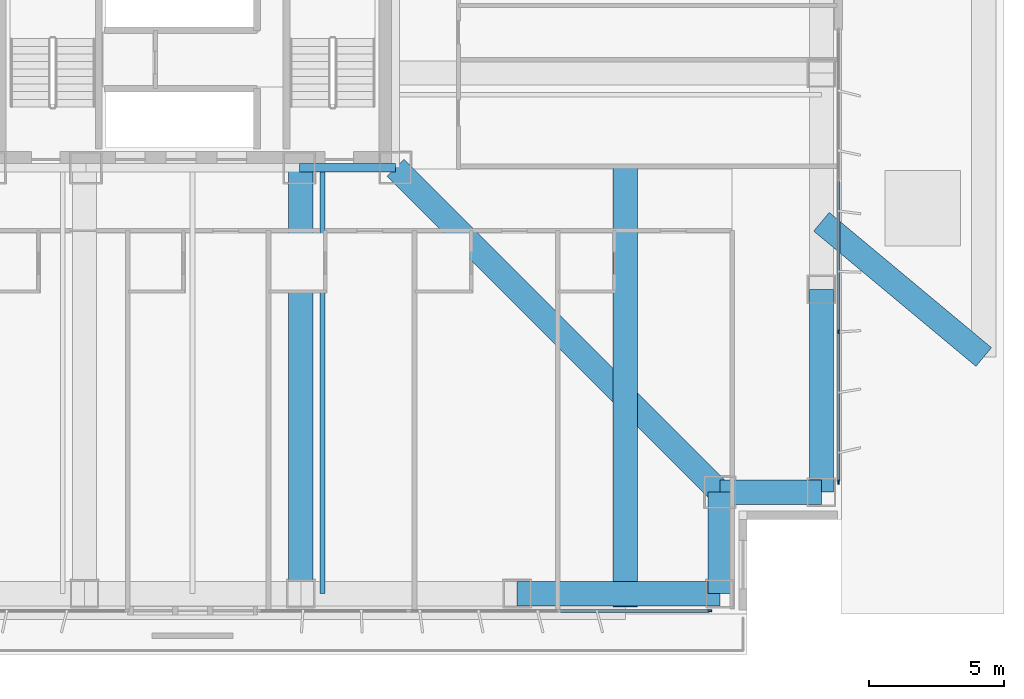
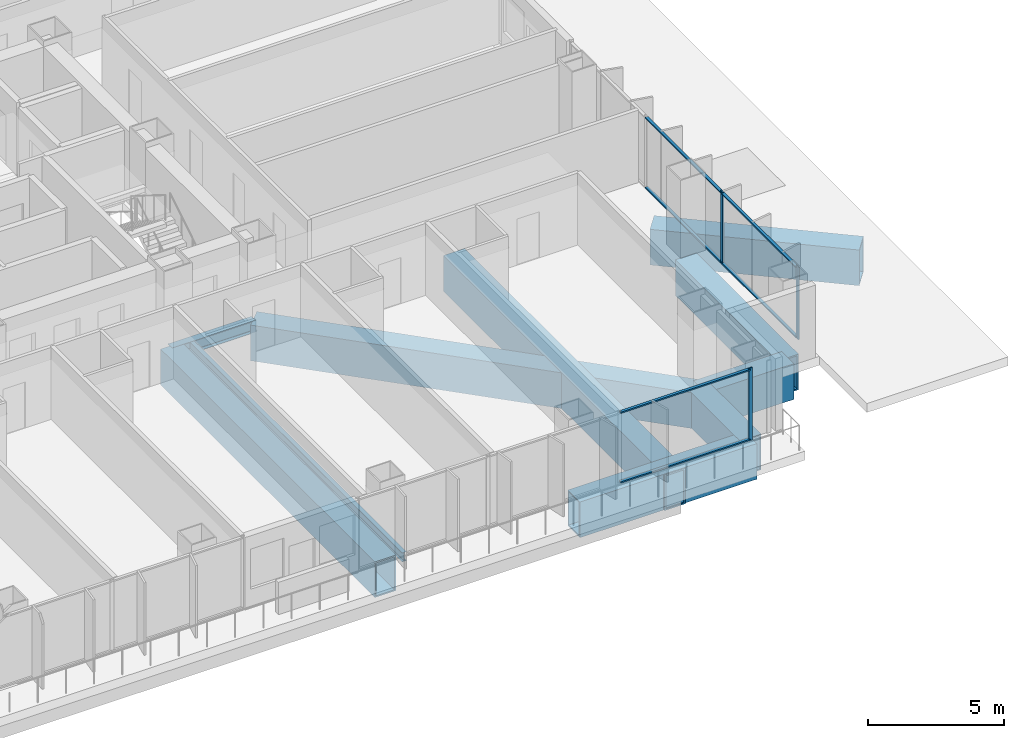
# One storey, part 7 of 24: 10 beams, 9 members, 2 elements without a shape of their own.
"""IFC4 building model written with IfcOpenShell, lengths in metres."""

from ifc_helpers import new_model, si_unit, direction, frame, origin, origin_2d, place, context, subcontext, project, spatial, rectangle, hollow_rectangle, i_section, extrude, material, layer, layer_set, material_profile, profile_set, type_object, element, aggregate, save


model = new_model("IFC4")

# Units and contexts
model_context = context("Model", 3, precision=1e-05, world=origin(), true_north=direction((0.0, 1.0)))
body_context = subcontext(model_context, "Body", "Model", "MODEL_VIEW")
ifc_project = project(units=[si_unit("LENGTHUNIT", "METRE"), si_unit("AREAUNIT", "SQUARE_METRE"), si_unit("VOLUMEUNIT", "CUBIC_METRE"), si_unit("PLANEANGLEUNIT", "RADIAN"), si_unit("MASSUNIT", "GRAM", prefix="KILO")], contexts=[model_context])

# Site, building, storey
site_placement = place(None, origin())
site = spatial("IfcSite", under=ifc_project, at=site_placement, CompositionType="ELEMENT")
building_placement = place(site_placement, origin())
building = spatial("IfcBuilding", under=site, at=building_placement, Name="Trevonay Congress Spire", CompositionType="ELEMENT")
storey_placement = place(building_placement, frame((0.0, 0.0, 27.0)))
storey = spatial("IfcBuildingStorey", under=building, at=storey_placement, Name="L05", CompositionType="ELEMENT", Elevation=27.0)

# Beams
ifc_material_1 = material(Name="Steel ASTM A572 Grade 50", Category="steel")
ifc_material_profile_1 = material_profile(ifc_material_1, i_section(OverallWidth=0.31201171875, OverallDepth=0.54296875, WebThickness=0.0126953125, FlangeThickness=0.020263671875, FilletRadius=0.014892578125, at=origin_2d()), Name="W530x150")
ifc_profile_set_1 = profile_set([ifc_material_profile_1], Name="Steel ASTM A572 Grade 50")
beam_type_1 = type_object("IfcBeamType", Name="BM-GIRD-W530X150", PredefinedType="BEAM", material=ifc_profile_set_1)
beam_1_placement = place(storey_placement, frame((3.949951171875, -7.5, -0.67138671875), z_axis=(1.0, 0.0, 0.0), x_axis=(0.0, 1.0, 0.0)))
element("IfcBeam", 1, at=beam_1_placement, inside=storey, type_object=beam_type_1, Name="L05 structural beam BM-L05-CR-S3", PredefinedType="BEAM", context=body_context, shape_type="SweptSolid", body=[
    extrude(i_section(OverallWidth=0.31201171875, OverallDepth=0.54296875, WebThickness=0.0126953125, FlangeThickness=0.020263671875, FilletRadius=0.014892578125, at=origin_2d()), origin(), (0.0, 0.0, 1.0), 3.550048828125),
])
ifc_material_profile_2 = material_profile(ifc_material_1, hollow_rectangle(XDim=0.89990234375, YDim=1.60009765625, WallThickness=0.06005859375, at=origin_2d()), Name="BOX 1600x900x60")
ifc_profile_set_2 = profile_set([ifc_material_profile_2], Name="Steel ASTM A572 Grade 50")
beam_type_2 = type_object("IfcBeamType", Name="BM-RING-BOX1600", PredefinedType="BEAM", material=ifc_profile_set_2)
for number, where, z_axis, x_axis, name in (
    (2, (23.25, -19.5, -1.199951171875), (0.0, 1.0, 0.0), (-1.0, 0.0, 0.0), "L05 structural beam BM-L05-PE1"),
    (3, (12.0, -23.25, -1.199951171875), (1.0, 0.0, 0.0), (0.0, 1.0, 0.0), "L05 structural beam BM-L05-PS5"),
):
    element("IfcBeam", number, at=place(storey_placement, frame(where, z_axis=z_axis, x_axis=x_axis)), inside=storey, type_object=beam_type_2, Name=name, PredefinedType="BEAM", context=body_context, shape_type="SweptSolid", body=[
        extrude(hollow_rectangle(XDim=0.89990234375, YDim=1.60009765625, WallThickness=0.06005859375, at=origin_2d()), origin(), (0.0, 0.0, 1.0), 7.5),
    ])
for number, where, z_axis, x_axis, name in (
    (4, (19.5, -23.25, -1.199951171875), (0.0, 1.0, 0.0), (-1.0, 0.0, 0.0), "L05 structural beam BM-L05-N1SE"),
    (5, (23.25, -19.5, -1.199951171875), (-1.0, 0.0, 0.0), (0.0, -1.0, 0.0), "L05 structural beam BM-L05-N2SE"),
):
    element("IfcBeam", number, at=place(storey_placement, frame(where, z_axis=z_axis, x_axis=x_axis)), inside=storey, type_object=beam_type_2, Name=name, PredefinedType="BEAM", context=body_context, shape_type="SweptSolid", body=[
        extrude(hollow_rectangle(XDim=0.89990234375, YDim=1.60009765625, WallThickness=0.06005859375, at=origin_2d()), origin(), (0.0, 0.0, 1.0), 3.75),
    ])
ifc_material_profile_3 = material_profile(ifc_material_1, hollow_rectangle(XDim=0.89990234375, YDim=1.60009765625, WallThickness=0.06005859375, at=origin_2d()), Name="BOX 1600x900x60")
ifc_profile_set_3 = profile_set([ifc_material_profile_3], Name="Steel ASTM A572 Grade 50")
beam_type_3 = type_object("IfcBeamType", Name="BM-XFER-BOX1600", PredefinedType="BEAM", material=ifc_profile_set_3)
beam_2_placement = place(storey_placement, frame((23.25, -9.5, -1.199951171875), z_axis=(0.768221279597, -0.640184399664, 0.0), x_axis=(0.640184399664, 0.768221279597, 0.0)))
element("IfcBeam", 6, at=beam_2_placement, inside=storey, type_object=beam_type_3, Name="L05 structural beam BM-L05T-ET1", PredefinedType="BEAM", context=body_context, shape_type="SweptSolid", body=[
    extrude(hollow_rectangle(XDim=0.89990234375, YDim=1.60009765625, WallThickness=0.06005859375, at=origin_2d()), origin(), (0.0, 0.0, 1.0), 7.810302734375),
])
beam_3_placement = place(storey_placement, frame((16.0, -7.5, -1.199951171875), z_axis=(0.0, -1.0, 0.0), x_axis=(1.0, 0.0, 0.0)))
element("IfcBeam", 7, at=beam_3_placement, inside=storey, type_object=beam_type_3, Name="L05 structural beam BM-L05T-ST2", PredefinedType="BEAM", context=body_context, shape_type="SweptSolid", body=[
    extrude(hollow_rectangle(XDim=0.89990234375, YDim=1.60009765625, WallThickness=0.06005859375, at=origin_2d()), origin(), (0.0, 0.0, 1.0), 16.25),
])
beam_4_placement = place(storey_placement, frame((7.5, -7.5, -1.199951171875), z_axis=(0.707106781187, -0.707106781187, 0.0), x_axis=(0.707106781187, 0.707106781187, 0.0)))
element("IfcBeam", 8, at=beam_4_placement, inside=storey, type_object=beam_type_3, Name="L05 structural beam BM-L05-CDSE", PredefinedType="BEAM", context=body_context, shape_type="SweptSolid", body=[
    extrude(hollow_rectangle(XDim=0.89990234375, YDim=1.60009765625, WallThickness=0.06005859375, at=origin_2d()), origin(), (0.0, 0.0, 1.0), 16.970458984375),
])
beam_5_placement = place(storey_placement, frame((4.0, -7.5, -1.199951171875), z_axis=(0.0, -1.0, 0.0), x_axis=(1.0, 0.0, 0.0)))
element("IfcBeam", 9, at=beam_5_placement, inside=storey, type_object=beam_type_3, Name="L05 structural beam BM-L05-GS-P", PredefinedType="BEAM", context=body_context, shape_type="SweptSolid", body=[
    extrude(hollow_rectangle(XDim=0.89990234375, YDim=1.60009765625, WallThickness=0.06005859375, at=origin_2d()), origin(), (0.0, 0.0, 1.0), 15.75),
])

# Curtain wall, member
ifc_material_2 = material(Name="Pale Anodised Aluminium EN AW-6063-T6", Category="aluminium")
ifc_layer = layer(ifc_material_2, 0.179931640625, Name="Pale Anodised Aluminium EN AW-6063-T6")
ifc_layer_set = layer_set([ifc_layer], Name="Pale Anodised Aluminium EN AW-6063-T6")
curtain_wall_type = type_object("IfcCurtainWallType", Name="CW-SYS02-HOTEL-PALE-METAL", PredefinedType="NOTDEFINED", material=ifc_layer_set)
curtain_wall_1_placement = place(storey_placement, origin())
curtain_wall_1 = element("IfcCurtainWall", 10, at=curtain_wall_1_placement, inside=storey, type_object=curtain_wall_type, Name="L05 SB unitised curtain wall", PredefinedType="NOTDEFINED")
ifc_material_profile_4 = material_profile(ifc_material_2, rectangle(XDim=0.06005859375, YDim=0.159912109375, at=origin_2d()), Name="CW-MULLION-160-ALUMINIUM")
ifc_profile_set_4 = profile_set([ifc_material_profile_4], Name="Pale Anodised Aluminium EN AW-6063-T6")
member_type_1 = type_object("IfcMemberType", Name="CW-MULLION-160-ALUMINIUM", PredefinedType="MULLION", material=ifc_profile_set_4)
member_1_placement = place(storey_placement, frame((19.1201171875, -23.8798828125, 0.0), z_axis=(0.0, 0.0, 1.0), x_axis=(0.0, 1.0, 0.0)))
member_1 = element("IfcMember", 11, at=member_1_placement, type_object=member_type_1, Name="CW02 mullion 4", PredefinedType="MULLION", context=body_context, shape_type="SweptSolid", body=[
    extrude(rectangle(XDim=0.06005859375, YDim=0.159912109375, at=origin_2d()), origin(), (0.0, 0.0, 1.0), 3.25),
])

# Curtain wall, members
curtain_wall_2_placement = place(storey_placement, origin())
curtain_wall_2 = element("IfcCurtainWall", 12, at=curtain_wall_2_placement, inside=storey, type_object=curtain_wall_type, Name="L05 EA unitised curtain wall", PredefinedType="NOTDEFINED")
member_2_placement = place(storey_placement, frame((23.8798828125, -19.1201171875, 0.0), z_axis=(0.0, 0.0, 1.0), x_axis=(-1.0, 0.0, 0.0)))
member_2 = element("IfcMember", 13, at=member_2_placement, type_object=member_type_1, Name="CW02 mullion 1", PredefinedType="MULLION", context=body_context, shape_type="SweptSolid", body=[
    extrude(rectangle(XDim=0.06005859375, YDim=0.159912109375, at=origin_2d()), origin(), (0.0, 0.0, 1.0), 3.25),
])
member_3_placement = place(storey_placement, frame((23.8798828125, -13.566650390625, 0.0), z_axis=(0.0, 0.0, 1.0), x_axis=(-1.0, 0.0, 0.0)))
member_3 = element("IfcMember", 14, at=member_3_placement, type_object=member_type_1, Name="CW02 mullion 2", PredefinedType="MULLION", context=body_context, shape_type="SweptSolid", body=[
    extrude(rectangle(XDim=0.06005859375, YDim=0.159912109375, at=origin_2d()), origin(), (0.0, 0.0, 1.0), 3.25),
])

# Member
ifc_material_profile_5 = material_profile(ifc_material_2, rectangle(XDim=0.1201171875, YDim=0.06005859375, at=origin_2d()), Name="CW-TRANSOM-120-ALUMINIUM")
ifc_profile_set_5 = profile_set([ifc_material_profile_5], Name="Pale Anodised Aluminium EN AW-6063-T6")
member_type_2 = type_object("IfcMemberType", Name="CW-TRANSOM-120-ALUMINIUM", PredefinedType="USERDEFINED", material=ifc_profile_set_5)
member_4_placement = place(storey_placement, frame((13.5966796875, -23.8798828125, 0.06005859375), z_axis=(1.0, 0.0, 0.0), x_axis=(0.0, 1.0, 0.0)))
member_4 = element("IfcMember", 15, at=member_4_placement, type_object=member_type_2, Name="CW02 transom 3.1", ObjectType="TRANSOM", PredefinedType="USERDEFINED", context=body_context, shape_type="SweptSolid", body=[
    extrude(rectangle(XDim=0.1201171875, YDim=0.06005859375, at=origin_2d()), origin(), (0.0, 0.0, 1.0), 5.493408203125),
])

member_5_placement = place(storey_placement, frame((13.5966796875, -23.8798828125, 3.18994140625), z_axis=(1.0, 0.0, 0.0), x_axis=(0.0, 1.0, 0.0)))
member_5 = element("IfcMember", 16, at=member_5_placement, type_object=member_type_2, Name="CW02 transom 3.2", ObjectType="TRANSOM", PredefinedType="USERDEFINED", context=body_context, shape_type="SweptSolid", body=[
    extrude(rectangle(XDim=0.1201171875, YDim=0.06005859375, at=origin_2d()), origin(), (0.0, 0.0, 1.0), 5.493408203125),
])

aggregate(curtain_wall_1, [member_1, member_4, member_5])

member_6_placement = place(storey_placement, frame((23.8798828125, -19.090087890625, 0.06005859375), z_axis=(0.0, 1.0, 0.0), x_axis=(-1.0, 0.0, 0.0)))
member_6 = element("IfcMember", 17, at=member_6_placement, type_object=member_type_2, Name="CW02 transom 1.1", ObjectType="TRANSOM", PredefinedType="USERDEFINED", context=body_context, shape_type="SweptSolid", body=[
    extrude(rectangle(XDim=0.1201171875, YDim=0.06005859375, at=origin_2d()), origin(), (0.0, 0.0, 1.0), 5.493408203125),
])

member_7_placement = place(storey_placement, frame((23.8798828125, -19.090087890625, 3.18994140625), z_axis=(0.0, 1.0, 0.0), x_axis=(-1.0, 0.0, 0.0)))
member_7 = element("IfcMember", 18, at=member_7_placement, type_object=member_type_2, Name="CW02 transom 1.2", ObjectType="TRANSOM", PredefinedType="USERDEFINED", context=body_context, shape_type="SweptSolid", body=[
    extrude(rectangle(XDim=0.1201171875, YDim=0.06005859375, at=origin_2d()), origin(), (0.0, 0.0, 1.0), 5.493408203125),
])

member_8_placement = place(storey_placement, frame((23.8798828125, -13.53662109375, 0.06005859375), z_axis=(0.0, 1.0, 0.0), x_axis=(-1.0, 0.0, 0.0)))
member_8 = element("IfcMember", 19, at=member_8_placement, type_object=member_type_2, Name="CW02 transom 2.1", ObjectType="TRANSOM", PredefinedType="USERDEFINED", context=body_context, shape_type="SweptSolid", body=[
    extrude(rectangle(XDim=0.1201171875, YDim=0.06005859375, at=origin_2d()), origin(), (0.0, 0.0, 1.0), 5.523193359375),
])

member_9_placement = place(storey_placement, frame((23.8798828125, -13.53662109375, 3.18994140625), z_axis=(0.0, 1.0, 0.0), x_axis=(-1.0, 0.0, 0.0)))
member_9 = element("IfcMember", 20, at=member_9_placement, type_object=member_type_2, Name="CW02 transom 2.2", ObjectType="TRANSOM", PredefinedType="USERDEFINED", context=body_context, shape_type="SweptSolid", body=[
    extrude(rectangle(XDim=0.1201171875, YDim=0.06005859375, at=origin_2d()), origin(), (0.0, 0.0, 1.0), 5.523193359375),
])

aggregate(curtain_wall_2, [member_2, member_3, member_6, member_7, member_8, member_9])

# Beam
ifc_material_profile_6 = material_profile(ifc_material_1, i_section(OverallWidth=0.177978515625, OverallDepth=0.406982421875, WebThickness=0.0078125, FlangeThickness=0.0126953125, FilletRadius=0.012939453125, at=origin_2d()), Name="W410x60")
ifc_profile_set_6 = profile_set([ifc_material_profile_6], Name="Steel ASTM A572 Grade 50")
beam_type_4 = type_object("IfcBeamType", Name="JS-COMP-W410X60", PredefinedType="JOIST", material=ifc_profile_set_6)
beam_6_placement = place(storey_placement, frame((4.800048828125, -23.25, -0.603515625), z_axis=(0.0, 1.0, 0.0), x_axis=(-1.0, 0.0, 0.0)))
element("IfcBeam", 21, at=beam_6_placement, inside=storey, type_object=beam_type_4, Name="L05 structural beam JS-L05-NS-S3", PredefinedType="JOIST", context=body_context, shape_type="SweptSolid", body=[
    extrude(i_section(OverallWidth=0.177978515625, OverallDepth=0.406982421875, WebThickness=0.0078125, FlangeThickness=0.0126953125, FilletRadius=0.012939453125, at=origin_2d()), origin(), (0.0, 0.0, 1.0), 15.75),
])

save(model, "model.ifc")
